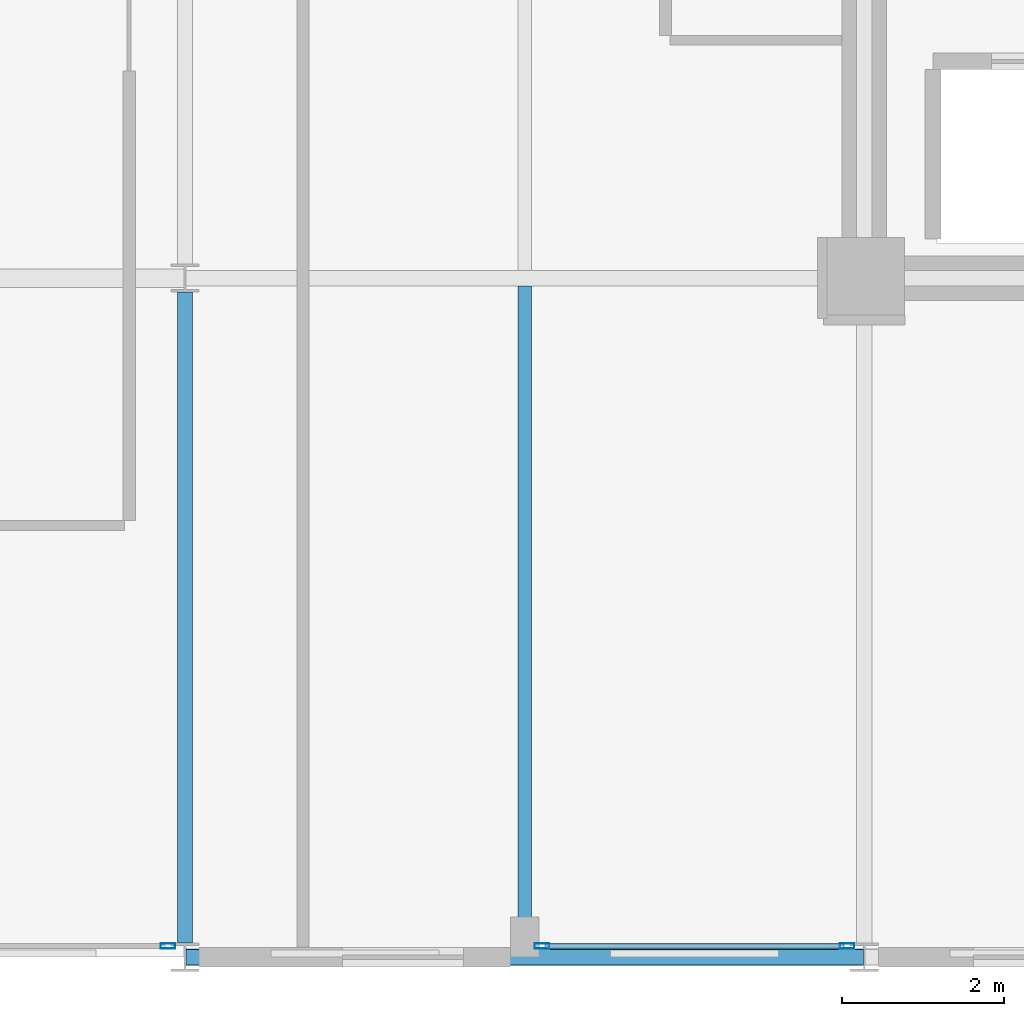
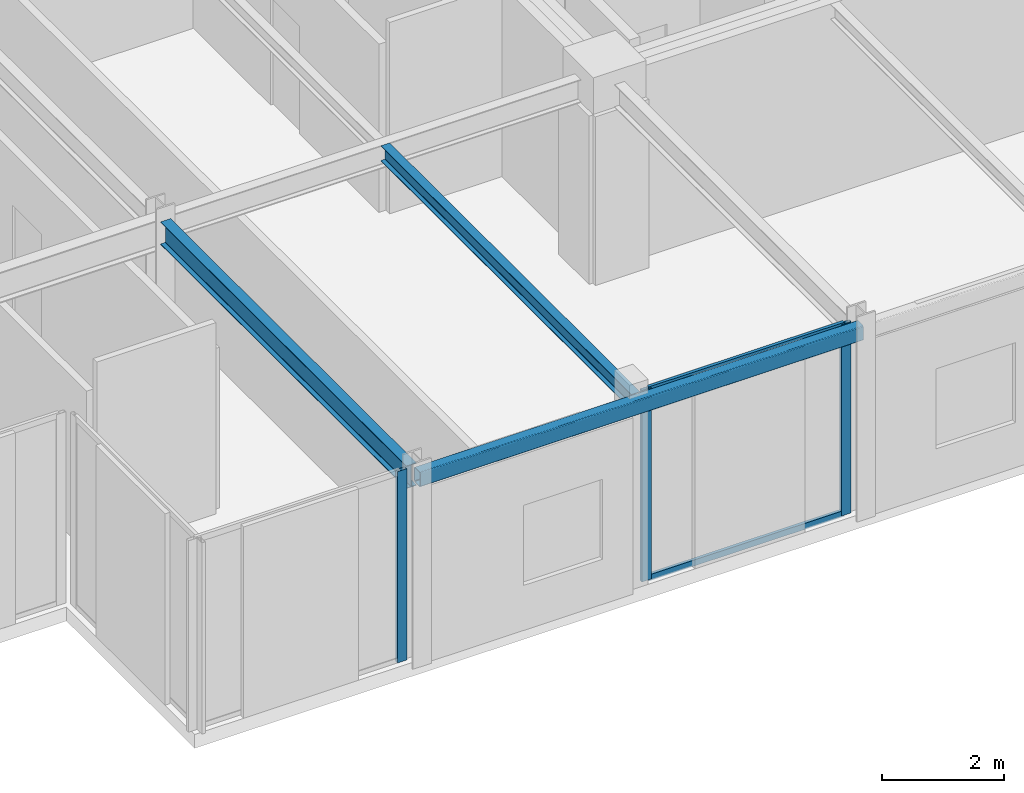
# One storey, part 6 of 29: 5 members, 3 beams, 2 elements without a shape of their own.
"""IFC4 building model written with IfcOpenShell, lengths in metres."""

import ifcopenshell
import ifcopenshell.guid

model = None  # the IFC model being written
_history = None  # IfcOwnerHistory: only IFC2X3 demands one
_inside = {}  # id of a spatial element -> (the spatial element, [elements in it])
_under = {}  # id of a project, library or spatial element -> (it, [spatial elements below it])
_declared = {}  # id of a project -> (the project, [libraries it declares])
_typed = {}  # id of a type object -> (the type object, [elements of that type])
_made_of = {}  # id of a material, layer set ... -> (it, [elements and type objects made of it])


def new_model(schema):
    """Start an empty IFC model of exactly this schema.

    Asked for "IFC4X3", IfcOpenShell would pick the latest addendum, in which some entities
    have other attributes; the version numbers below select the first issue.
    IFC2X3 requires an IfcOwnerHistory on every rooted entity: one is made here for all.
    """
    global model, _history
    if schema == "IFC4X3":
        model = ifcopenshell.file(schema_version=(4, 3, 0, 0))
    else:
        model = ifcopenshell.file(schema=schema)
    _inside.clear()
    _under.clear()
    _declared.clear()
    _typed.clear()
    _made_of.clear()
    _history = None
    if model.schema == "IFC2X3":
        org = make("IfcOrganization", Name="unknown")
        user = make(
            "IfcPersonAndOrganization",
            ThePerson=make("IfcPerson", FamilyName="unknown"),
            TheOrganization=org,
        )
        app = make(
            "IfcApplication",
            ApplicationDeveloper=org,
            Version="unknown",
            ApplicationFullName="unknown",
            ApplicationIdentifier="unknown",
        )
        _history = make(
            "IfcOwnerHistory",
            OwningUser=user,
            OwningApplication=app,
            ChangeAction="ADDED",
            CreationDate=0,
        )
    return model


def make(cls, **values):
    """One entity of the class cls with the attributes given. An attribute that is None is left unset."""
    return model.create_entity(
        cls, **{name: value for name, value in values.items() if value is not None}
    )


def rooted(cls, **values):
    """An entity with a GlobalId (a new one), such as an element, a storey or a relation."""
    return make(cls, GlobalId=ifcopenshell.guid.new(), OwnerHistory=_history, **values)


def si_unit(unit_type, name, prefix=None):
    """IfcSIUnit, for example si_unit("LENGTHUNIT", "METRE", prefix="MILLI")."""
    return make("IfcSIUnit", UnitType=unit_type, Prefix=prefix, Name=name)


def assignment(units):
    """IfcUnitAssignment: the units of a project."""
    return None if units is None else make("IfcUnitAssignment", Units=units)


def point(xyz):
    """IfcCartesianPoint."""
    return None if xyz is None else make("IfcCartesianPoint", Coordinates=xyz)


def direction(xyz):
    """IfcDirection."""
    return None if xyz is None else make("IfcDirection", DirectionRatios=xyz)


def frame(location, z_axis=None, x_axis=None):
    """IfcAxis2Placement3D, a coordinate frame: its origin and axes. An axis left out is left unset."""
    return make(
        "IfcAxis2Placement3D",
        Location=point(location),
        Axis=direction(z_axis),
        RefDirection=direction(x_axis),
    )


def frame_2d(location, x_axis=None):
    """IfcAxis2Placement2D, a coordinate frame in the plane: its origin and x axis."""
    return make(
        "IfcAxis2Placement2D", Location=point(location), RefDirection=direction(x_axis)
    )


def origin():
    """The frame at (0, 0, 0) with its axes left unset."""
    return frame((0.0, 0.0, 0.0))


def origin_2d():
    """The frame at (0, 0) in the plane with its x axis left unset."""
    return frame_2d((0.0, 0.0))


def place(relative_to, where):
    """IfcLocalPlacement: puts the frame where relative to a parent placement (None: the world)."""
    return make(
        "IfcLocalPlacement", PlacementRelTo=relative_to, RelativePlacement=where
    )


def context(
    kind, dimensions, precision=None, world=None, true_north=None, identifier=None
):
    """IfcGeometricRepresentationContext, for example the 3D "Model" context."""
    return make(
        "IfcGeometricRepresentationContext",
        ContextIdentifier=identifier,
        ContextType=kind,
        CoordinateSpaceDimension=dimensions,
        Precision=precision,
        WorldCoordinateSystem=world,
        TrueNorth=true_north,
    )


def subcontext(parent, identifier, kind, view, scale=None):
    """IfcGeometricRepresentationSubContext, for example "Body" below "Model"."""
    return make(
        "IfcGeometricRepresentationSubContext",
        ContextIdentifier=identifier,
        ContextType=kind,
        ParentContext=parent,
        TargetScale=scale,
        TargetView=view,
    )


def project(units=None, contexts=None):
    """IfcProject with its units and contexts."""
    return rooted(
        "IfcProject",
        Name="project",
        RepresentationContexts=contexts,
        UnitsInContext=assignment(units),
    )


def spatial(cls, under=None, at=None, **own):
    """A site, building, storey or space (cls), placed at a placement, below another one or the project."""
    s = rooted(cls, ObjectPlacement=at, **own)
    if under is not None:
        _under.setdefault(under.id(), (under, []))[1].append(s)
    return s


def profile(cls, at=None, kind="AREA", **sizes):
    """A parametric profile (cls). Its sizes go by their IFC names, for example OverallWidth=200.0."""
    return make(cls, ProfileType=kind, Position=at, **sizes)


def hollow_rectangle(**sizes):
    """IfcRectangleHollowProfileDef."""
    return profile("IfcRectangleHollowProfileDef", **sizes)


def i_section(**sizes):
    """IfcIShapeProfileDef."""
    return profile("IfcIShapeProfileDef", **sizes)


def extrude(swept, where, along, depth):
    """IfcExtrudedAreaSolid: the profile swept, set in the frame where, extruded along a direction by depth."""
    return make(
        "IfcExtrudedAreaSolid",
        SweptArea=swept,
        Position=where,
        ExtrudedDirection=direction(along),
        Depth=depth,
    )


def shape(context_of_items, identifier, shape_type, items):
    """IfcShapeRepresentation: the items that make up one representation, for example the "Body"."""
    return make(
        "IfcShapeRepresentation",
        ContextOfItems=context_of_items,
        RepresentationIdentifier=identifier,
        RepresentationType=shape_type,
        Items=items,
    )


def material(Name=None, Category=None):
    """IfcMaterial."""
    return make("IfcMaterial", Name=Name, Category=Category)


def layer(
    of_material, thickness, ventilated=None, Name=None, Category=None, Priority=None
):
    """IfcMaterialLayer: one layer of a wall or slab, of a material (None: an air gap)."""
    return make(
        "IfcMaterialLayer",
        Material=of_material,
        LayerThickness=thickness,
        IsVentilated=ventilated,
        Name=Name,
        Category=Category,
        Priority=Priority,
    )


def layer_set(layers, Name=None):
    """IfcMaterialLayerSet."""
    return make("IfcMaterialLayerSet", MaterialLayers=layers, LayerSetName=Name)


def material_profile(
    of_material, cross_section, Name=None, Category=None, Priority=None
):
    """IfcMaterialProfile: a cross section and its material."""
    return make(
        "IfcMaterialProfile",
        Name=Name,
        Material=of_material,
        Profile=cross_section,
        Priority=Priority,
        Category=Category,
    )


def profile_set(profiles, Name=None, composite=None):
    """IfcMaterialProfileSet."""
    return make(
        "IfcMaterialProfileSet",
        Name=Name,
        MaterialProfiles=profiles,
        CompositeProfile=composite,
    )


def made_of(thing, what):
    """Note that an element or type object is made of a material, layer set ...; save() writes the relation."""
    if what is not None:
        _made_of.setdefault(what.id(), (what, []))[1].append(thing)
    return thing


def type_object(cls, material=None, **own):
    """A type object (cls), such as IfcWallType, which elements share."""
    return made_of(rooted(cls, **own), material)


def element(
    cls,
    number,
    at=None,
    inside=None,
    cuts=None,
    type_object=None,
    material=None,
    context=None,
    identifier="Body",
    shape_type=None,
    held_by="IfcProductDefinitionShape",
    body=None,
    shapes=None,
    **own,
):
    """One element of the class cls, such as IfcWall. Its Tag is "e" and its number.

    at: its placement. inside: the storey or other place that contains it. cuts: it is an
    opening in that element (IfcRelVoidsElement). A single representation is given by context,
    identifier, shape_type and body (its items); several are given by shapes. held_by: the class
    of the entity that holds the representations. save() writes the other relations.
    """
    e = rooted(cls, Tag="e%d" % number, ObjectPlacement=at, **own)
    if body is not None:
        shapes = [shape(context, identifier, shape_type, body)]
    if shapes is not None:
        e.Representation = make(held_by, Representations=shapes)
    if inside is not None:
        _inside.setdefault(inside.id(), (inside, []))[1].append(e)
    if cuts is not None:
        rooted(
            "IfcRelVoidsElement", RelatingBuildingElement=cuts, RelatedOpeningElement=e
        )
    if type_object is not None:
        _typed.setdefault(type_object.id(), (type_object, []))[1].append(e)
    return made_of(e, material)


def aggregate(whole, parts):
    """IfcRelAggregates: a whole, such as a stair, and the parts it consists of."""
    return rooted("IfcRelAggregates", RelatingObject=whole, RelatedObjects=parts)


def save(model, path):
    """Write the relations noted so far, then the file.

    IfcRelAggregates (storeys below a building ...), IfcRelContainedInSpatialStructure (elements
    in a storey), IfcRelDefinesByType, IfcRelAssociatesMaterial and IfcRelDeclares: one each for
    every whole, place, type object, material and project.
    """
    for whole, parts in _under.values():
        aggregate(whole, parts)
    for where, things in _inside.values():
        rooted(
            "IfcRelContainedInSpatialStructure",
            RelatedElements=things,
            RelatingStructure=where,
        )
    for kind, things in _typed.values():
        rooted("IfcRelDefinesByType", RelatedObjects=things, RelatingType=kind)
    for what, things in _made_of.values():
        rooted("IfcRelAssociatesMaterial", RelatedObjects=things, RelatingMaterial=what)
    for by, libraries in _declared.values():
        rooted("IfcRelDeclares", RelatingContext=by, RelatedDefinitions=libraries)
    model.write(path)


model = new_model("IFC4")

# Units and contexts
model_context = context("Model", 3, precision=1e-05, world=origin(), true_north=direction((0.0, 1.0)))
body_context = subcontext(model_context, "Body", "Model", "MODEL_VIEW")
ifc_project = project(units=[si_unit("LENGTHUNIT", "METRE"), si_unit("AREAUNIT", "SQUARE_METRE"), si_unit("VOLUMEUNIT", "CUBIC_METRE"), si_unit("PLANEANGLEUNIT", "RADIAN"), si_unit("MASSUNIT", "GRAM", prefix="KILO")], contexts=[model_context])

# Site, building, storey
site_placement = place(None, origin())
site = spatial("IfcSite", under=ifc_project, at=site_placement, CompositionType="ELEMENT")
building_placement = place(site_placement, origin())
building = spatial("IfcBuilding", under=site, at=building_placement, Name="Nerrivon Quay Data Exchange", CompositionType="ELEMENT")
storey_placement = place(building_placement, frame((0.0, 0.0, 187.800048828125)))
storey = spatial("IfcBuildingStorey", under=building, at=storey_placement, Name="L44", CompositionType="ELEMENT", Elevation=187.800048828125)

# Beams
ifc_material_1 = material(Name="Steel Grade 350", Category="steel")
ifc_material_profile_1 = material_profile(ifc_material_1, i_section(OverallWidth=0.18994140625, OverallDepth=0.4541015625, WebThickness=0.008544921875, FlangeThickness=0.0126953125, FilletRadius=0.011474609375, at=origin_2d()), Name="460UB67.1")
ifc_profile_set_1 = profile_set([ifc_material_profile_1], Name="Steel Grade 350")
beam_type_1 = type_object("IfcBeamType", Name="BM-G6-460UB67", PredefinedType="BEAM", material=ifc_profile_set_1)
beam_1_placement = place(storey_placement, frame((8.39990234375, 0.175048828125, 3.597900390625), z_axis=(0.0, 1.0, 0.0), x_axis=(-1.0, 0.0, 0.0)))
element("IfcBeam", 1, at=beam_1_placement, inside=storey, type_object=beam_type_1, Name="L44 NS Girder X=8.4 (0.0..8.4)", PredefinedType="BEAM", context=body_context, shape_type="SweptSolid", body=[
    extrude(i_section(OverallWidth=0.18994140625, OverallDepth=0.4541015625, WebThickness=0.008544921875, FlangeThickness=0.0126953125, FilletRadius=0.011474609375, at=origin_2d()), origin(), (0.0, 0.0, 1.0), 8.050048828125),
])
ifc_material_profile_2 = material_profile(ifc_material_1, i_section(OverallWidth=0.166015625, OverallDepth=0.306884765625, WebThickness=0.006591796875, FlangeThickness=0.01171875, FilletRadius=0.011474609375, at=origin_2d()), Name="310UB46.2")
ifc_profile_set_2 = profile_set([ifc_material_profile_2], Name="Steel Grade 350")
beam_type_2 = type_object("IfcBeamType", Name="BM-J5-310UB46", PredefinedType="JOIST", material=ifc_profile_set_2)
beam_2_placement = place(storey_placement, frame((12.60009765625, 0.10009765625, 3.67138671875), z_axis=(0.0, 1.0, 0.0), x_axis=(-1.0, 0.0, 0.0)))
element("IfcBeam", 2, at=beam_2_placement, inside=storey, type_object=beam_type_2, Name="L44 Secondary Joist X=12.6 (0.0..8.4)", PredefinedType="JOIST", context=body_context, shape_type="SweptSolid", body=[
    extrude(i_section(OverallWidth=0.166015625, OverallDepth=0.306884765625, WebThickness=0.006591796875, FlangeThickness=0.01171875, FilletRadius=0.011474609375, at=origin_2d()), origin(), (0.0, 0.0, 1.0), 8.204345703125),
])
ifc_material_2 = material(Name="Steel Grade C350L0 (350 MPa)", Category="steel")
ifc_material_profile_3 = material_profile(ifc_material_2, hollow_rectangle(XDim=0.199951171875, YDim=0.300048828125, WallThickness=0.012451171875, InnerFilletRadius=0.018798828125, OuterFilletRadius=0.03125, at=origin_2d()), Name="300x200x12.5RHS")
ifc_profile_set_3 = profile_set([ifc_material_profile_3], Name="Steel Grade C350L0 (350 MPa)")
beam_type_3 = type_object("IfcBeamType", Name="BM-SP3-300x200RHS", PredefinedType="SPANDREL", material=ifc_profile_set_3)
beam_3_placement = place(storey_placement, frame((8.409912109375, 0.0, 3.675048828125), z_axis=(1.0, 0.0, 0.0), x_axis=(0.0, 1.0, 0.0)))
element("IfcBeam", 3, at=beam_3_placement, inside=storey, type_object=beam_type_3, Name="L44 EW Girder Y=0.0 (8.4..16.8)", PredefinedType="SPANDREL", context=body_context, shape_type="SweptSolid", body=[
    extrude(hollow_rectangle(XDim=0.199951171875, YDim=0.300048828125, WallThickness=0.012451171875, InnerFilletRadius=0.018798828125, OuterFilletRadius=0.03125, at=origin_2d()), origin(), (0.0, 0.0, 1.0), 8.380126953125),
])

# Curtain wall, members
ifc_material_3 = material(Name="Anodised aluminium 6063-T6", Category="aluminium")
ifc_layer = layer(ifc_material_3, 0.195068359375)
ifc_layer_set = layer_set([ifc_layer], Name="Anodised aluminium 6063-T6")
curtain_wall_type = type_object("IfcCurtainWallType", Name="CW-SYS-06", PredefinedType="NOTDEFINED", material=ifc_layer_set)
curtain_wall_1_placement = place(storey_placement, origin())
curtain_wall_1 = element("IfcCurtainWall", 4, at=curtain_wall_1_placement, inside=storey, type_object=curtain_wall_type, Name="L44 Unitised Curtain Wall 26", PredefinedType="NOTDEFINED")
ifc_material_profile_4 = material_profile(ifc_material_3, hollow_rectangle(XDim=0.06494140625, YDim=0.179931640625, WallThickness=0.00341796875, at=origin_2d()), Name="ALU-MULL-180x65")
ifc_profile_set_4 = profile_set([ifc_material_profile_4], Name="Anodised aluminium 6063-T6")
member_type_1 = type_object("IfcMemberType", Name="CWM-180x65", PredefinedType="MULLION", material=ifc_profile_set_4)
member_1_placement = place(storey_placement, frame((16.58740234375, 0.139892578125, 0.0), z_axis=(0.0, 0.0, 1.0), x_axis=(0.0, -1.0, 0.0)))
member_1 = element("IfcMember", 5, at=member_1_placement, type_object=member_type_1, Name="CW06 mullion 1", PredefinedType="MULLION", context=body_context, shape_type="SweptSolid", body=[
    extrude(hollow_rectangle(XDim=0.06494140625, YDim=0.179931640625, WallThickness=0.00341796875, at=origin_2d()), origin(), (0.0, 0.0, 1.0), 3.824951171875),
])
member_2_placement = place(storey_placement, frame((12.8125, 0.139892578125, 0.0), z_axis=(0.0, 0.0, 1.0), x_axis=(0.0, -1.0, 0.0)))
member_2 = element("IfcMember", 6, at=member_2_placement, type_object=member_type_1, Name="CW06 mullion 2", PredefinedType="MULLION", context=body_context, shape_type="SweptSolid", body=[
    extrude(hollow_rectangle(XDim=0.06494140625, YDim=0.179931640625, WallThickness=0.00341796875, at=origin_2d()), origin(), (0.0, 0.0, 1.0), 3.824951171875),
])

# Curtain wall, member
curtain_wall_2_placement = place(storey_placement, origin())
curtain_wall_2 = element("IfcCurtainWall", 7, at=curtain_wall_2_placement, inside=storey, type_object=curtain_wall_type, Name="L44 Unitised Curtain Wall 28", PredefinedType="NOTDEFINED")
member_3_placement = place(storey_placement, frame((8.1875, 0.139892578125, 0.0), z_axis=(0.0, 0.0, 1.0), x_axis=(0.0, -1.0, 0.0)))
member_3 = element("IfcMember", 8, at=member_3_placement, type_object=member_type_1, Name="CW06 mullion 1", PredefinedType="MULLION", context=body_context, shape_type="SweptSolid", body=[
    extrude(hollow_rectangle(XDim=0.06494140625, YDim=0.179931640625, WallThickness=0.00341796875, at=origin_2d()), origin(), (0.0, 0.0, 1.0), 3.824951171875),
])
aggregate(curtain_wall_2, [member_3])

# Member
ifc_material_profile_5 = material_profile(ifc_material_3, hollow_rectangle(XDim=0.06005859375, YDim=0.1201171875, WallThickness=0.003173828125, at=origin_2d()), Name="ALU-TRAN-120x60")
ifc_profile_set_5 = profile_set([ifc_material_profile_5], Name="Anodised aluminium 6063-T6")
member_type_2 = type_object("IfcMemberType", Name="CWT-120x60", PredefinedType="USERDEFINED", material=ifc_profile_set_5)
member_4_placement = place(storey_placement, frame((16.550048828125, 0.139892578125, 0.032470703125), z_axis=(-1.0, 0.0, 0.0), x_axis=(0.0, -1.0, 0.0)))
member_4 = element("IfcMember", 9, at=member_4_placement, type_object=member_type_2, Name="CW06 transom 1.1", ObjectType="TRANSOM", PredefinedType="USERDEFINED", context=body_context, shape_type="SweptSolid", body=[
    extrude(hollow_rectangle(XDim=0.06005859375, YDim=0.1201171875, WallThickness=0.003173828125, at=origin_2d()), origin(), (0.0, 0.0, 1.0), 3.699951171875),
])

member_5_placement = place(storey_placement, frame((16.550048828125, 0.139892578125, 3.79248046875), z_axis=(-1.0, 0.0, 0.0), x_axis=(0.0, -1.0, 0.0)))
member_5 = element("IfcMember", 10, at=member_5_placement, type_object=member_type_2, Name="CW06 transom 1.2", ObjectType="TRANSOM", PredefinedType="USERDEFINED", context=body_context, shape_type="SweptSolid", body=[
    extrude(hollow_rectangle(XDim=0.06005859375, YDim=0.1201171875, WallThickness=0.003173828125, at=origin_2d()), origin(), (0.0, 0.0, 1.0), 3.699951171875),
])

aggregate(curtain_wall_1, [member_1, member_2, member_4, member_5])

save(model, "model.ifc")
